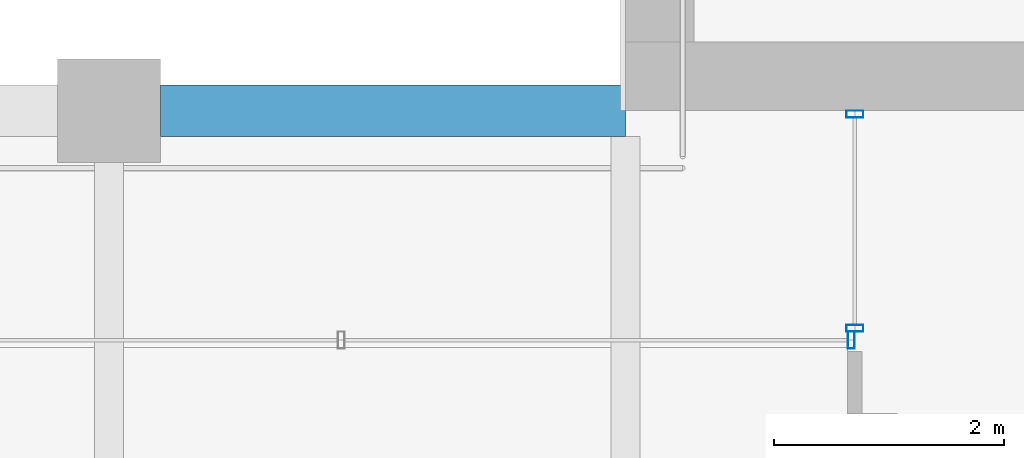
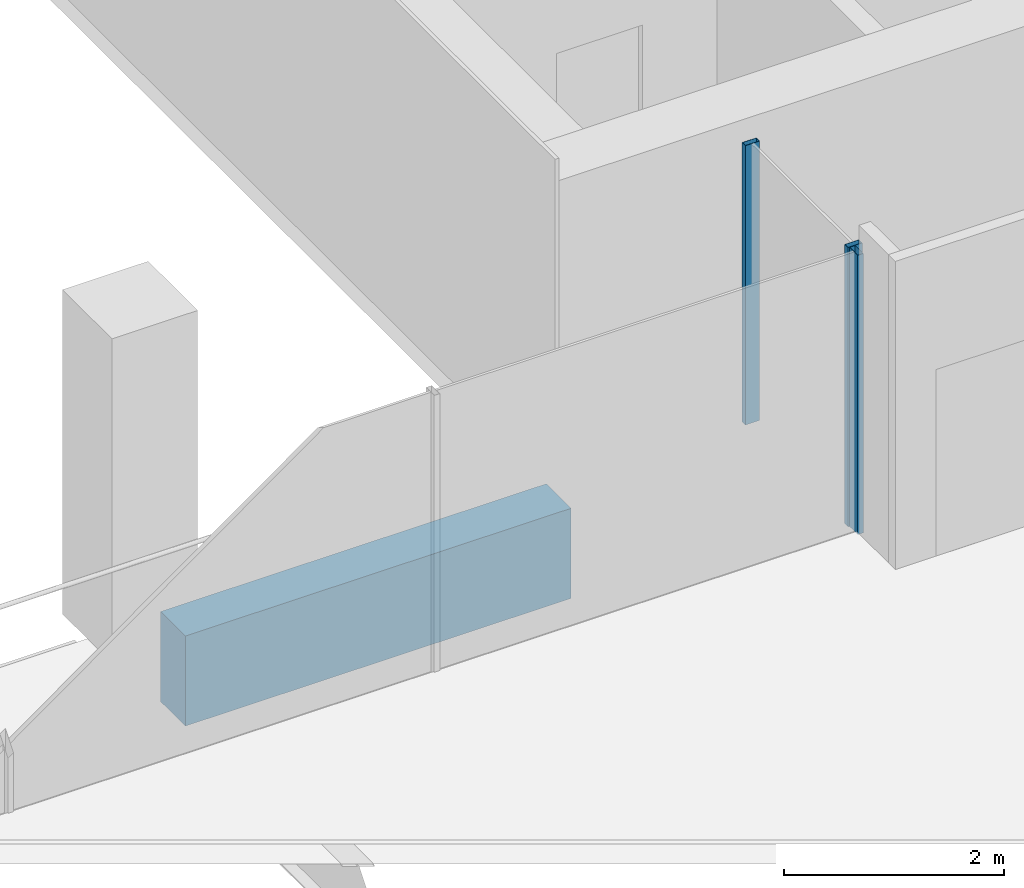
# One storey, part 6 of 40: 3 members, 1 beam, 2 elements without a shape of their own.
"""IFC4 building model written with IfcOpenShell, lengths in metres."""

from ifc_helpers import new_model, si_unit, direction, frame, origin, origin_2d, place, context, subcontext, project, spatial, rectangle, hollow_rectangle, extrude, material, material_profile, profile_set, type_object, element, aggregate, save


model = new_model("IFC4")

# Units and contexts
model_context = context("Model", 3, precision=1e-05, world=origin(), true_north=direction((0.0, 1.0)))
body_context = subcontext(model_context, "Body", "Model", "MODEL_VIEW")
ifc_project = project(units=[si_unit("LENGTHUNIT", "METRE"), si_unit("AREAUNIT", "SQUARE_METRE"), si_unit("VOLUMEUNIT", "CUBIC_METRE"), si_unit("PLANEANGLEUNIT", "RADIAN"), si_unit("MASSUNIT", "GRAM", prefix="KILO")], contexts=[model_context])

# Site, building, storey
site_placement = place(None, origin())
site = spatial("IfcSite", under=ifc_project, at=site_placement, CompositionType="ELEMENT")
building_placement = place(site_placement, origin())
building = spatial("IfcBuilding", under=site, at=building_placement, Name="Altepetl Exchange Towers", CompositionType="ELEMENT")
storey_placement = place(building_placement, frame((0.0, 0.0, 172.60009765625)))
storey = spatial("IfcBuildingStorey", under=building, at=storey_placement, Name="L43", CompositionType="ELEMENT", Elevation=172.60009765625)

# Curtain wall, members
ifc_material_1 = material(Name="Aluminium 6063-T6 glazing", Category="aluminium")
curtain_wall_type = type_object("IfcCurtainWallType", Name="Loggia glazing system", PredefinedType="NOTDEFINED", material=ifc_material_1)
curtain_wall_1_placement = place(storey_placement, origin())
curtain_wall_1 = element("IfcCurtainWall", 1, at=curtain_wall_1_placement, inside=storey, type_object=curtain_wall_type, Name="CW1 run", PredefinedType="NOTDEFINED")
ifc_material_2 = material(Name="Aluminium 6063-T6", Category="aluminium")
ifc_material_profile_1 = material_profile(ifc_material_2, hollow_rectangle(XDim=0.06005859375, YDim=0.14990234375, WallThickness=0.0029296875, at=origin_2d()), Name="Mullion 60x150 aluminium")
ifc_profile_set_1 = profile_set([ifc_material_profile_1], Name="Aluminium 6063-T6")
member_type = type_object("IfcMemberType", Name="Mullion 60x150 aluminium", PredefinedType="MULLION", material=ifc_profile_set_1)
member_1_placement = place(storey_placement, frame((42.5, 40.469970703125, 0.0), z_axis=(0.0, 0.0, 1.0), x_axis=(0.0, -1.0, 0.0)))
member_1 = element("IfcMember", 2, at=member_1_placement, type_object=member_type, Name="MU1 mullion", PredefinedType="MULLION", context=body_context, shape_type="SweptSolid", body=[
    extrude(hollow_rectangle(XDim=0.06005859375, YDim=0.14990234375, WallThickness=0.0029296875, at=origin_2d()), origin(), (0.0, 0.0, 1.0), 3.099853515625),
])
member_2_placement = place(storey_placement, frame((42.5, 38.60498046875, 0.0), z_axis=(0.0, 0.0, 1.0), x_axis=(0.0, -1.0, 0.0)))
member_2 = element("IfcMember", 3, at=member_2_placement, type_object=member_type, Name="MU1 mullion", PredefinedType="MULLION", context=body_context, shape_type="SweptSolid", body=[
    extrude(hollow_rectangle(XDim=0.06005859375, YDim=0.14990234375, WallThickness=0.0029296875, at=origin_2d()), origin(), (0.0, 0.0, 1.0), 3.099853515625),
])
aggregate(curtain_wall_1, [member_1, member_2])

# Curtain wall, member
curtain_wall_2_placement = place(storey_placement, origin())
curtain_wall_2 = element("IfcCurtainWall", 4, at=curtain_wall_2_placement, inside=storey, type_object=curtain_wall_type, Name="CW1 run", PredefinedType="NOTDEFINED")
member_3_placement = place(storey_placement, frame((42.469970703125, 38.5, 0.0), z_axis=(0.0, 0.0, 1.0), x_axis=(-1.0, 0.0, 0.0)))
member_3 = element("IfcMember", 5, at=member_3_placement, type_object=member_type, Name="MU1 mullion", PredefinedType="MULLION", context=body_context, shape_type="SweptSolid", body=[
    extrude(hollow_rectangle(XDim=0.06005859375, YDim=0.14990234375, WallThickness=0.0029296875, at=origin_2d()), origin(), (0.0, 0.0, 1.0), 3.099853515625),
])
aggregate(curtain_wall_2, [member_3])

# Beam
ifc_material_3 = material(Name="Concrete C50/60 precast with tezontle facing", Category="concrete")
ifc_material_profile_2 = material_profile(ifc_material_3, rectangle(XDim=0.449951171875, YDim=1.0, at=origin_2d()), Name="450 x 1000")
ifc_profile_set_2 = profile_set([ifc_material_profile_2], Name="Concrete C50/60 precast with tezontle facing")
beam_type = type_object("IfcBeamType", Name="Spandrel beam 450x1000 tezontle", PredefinedType="SPANDREL", material=ifc_profile_set_2)
beam_placement = place(storey_placement, frame((40.5, 40.5, -0.650146484375), z_axis=(-1.0, 0.0, 0.0), x_axis=(0.0, -1.0, 0.0)))
element("IfcBeam", 6, at=beam_placement, inside=storey, type_object=beam_type, Name="sp:A:L43:033", PredefinedType="SPANDREL", context=body_context, shape_type="SweptSolid", body=[
    extrude(rectangle(XDim=0.449951171875, YDim=1.0, at=origin_2d()), origin(), (0.0, 0.0, 1.0), 4.050048828125),
])

save(model, "model.ifc")
